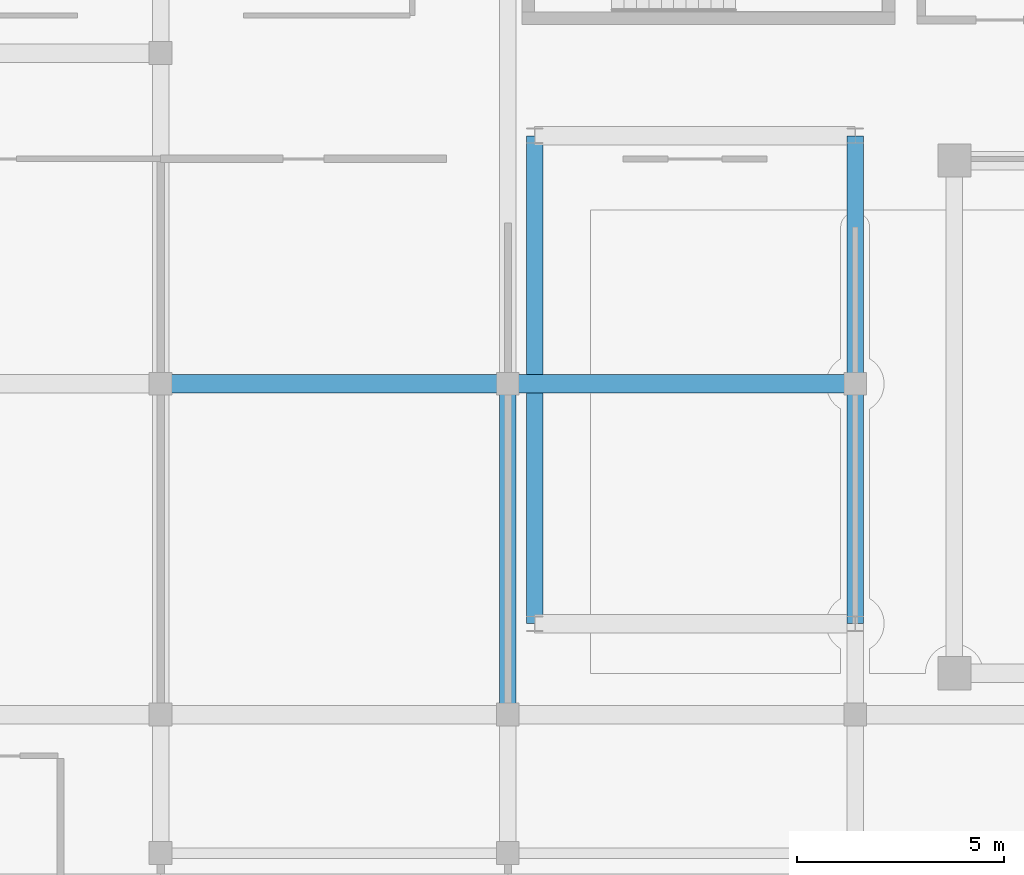
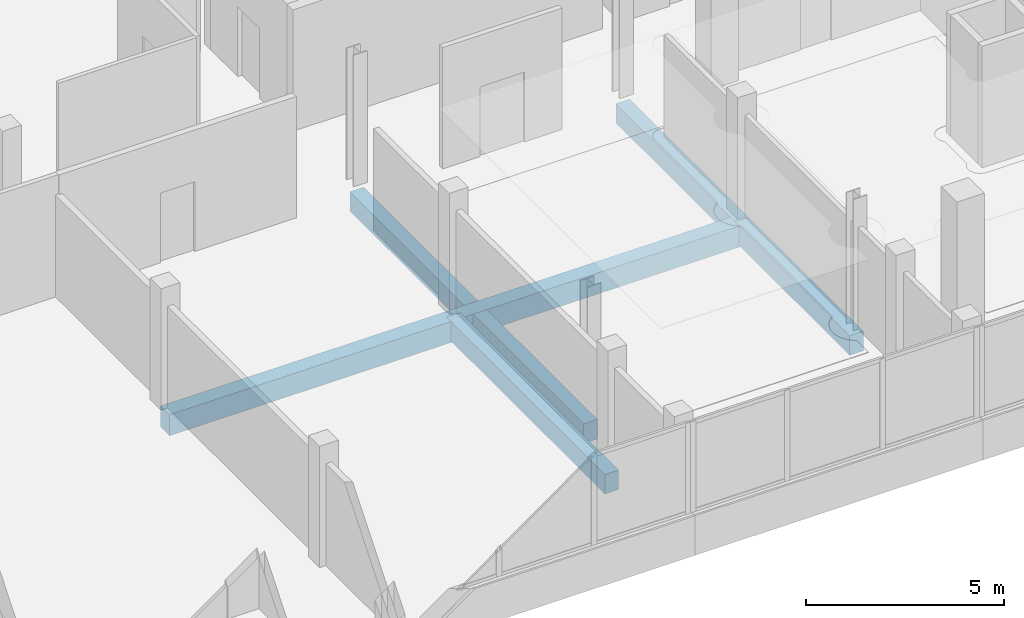
# One storey, part 11 of 67: 6 beams.
"""IFC4 building model written with IfcOpenShell, lengths in metres."""

from ifc_helpers import new_model, si_unit, direction, frame, origin, origin_2d, place, context, subcontext, project, spatial, rectangle, extrude, material, material_profile, profile_set, type_object, element, save


model = new_model("IFC4")

# Units and contexts
model_context = context("Model", 3, precision=1e-05, world=origin(), true_north=direction((0.0, 1.0)))
body_context = subcontext(model_context, "Body", "Model", "MODEL_VIEW")
ifc_project = project(units=[si_unit("LENGTHUNIT", "METRE"), si_unit("AREAUNIT", "SQUARE_METRE"), si_unit("VOLUMEUNIT", "CUBIC_METRE"), si_unit("PLANEANGLEUNIT", "RADIAN"), si_unit("MASSUNIT", "GRAM", prefix="KILO")], contexts=[model_context])

# Site, building, storey
site_placement = place(None, origin())
site = spatial("IfcSite", under=ifc_project, at=site_placement, CompositionType="ELEMENT")
building_placement = place(site_placement, origin())
building = spatial("IfcBuilding", under=site, at=building_placement, Name="Selatvlak General Hospital", CompositionType="ELEMENT")
storey_placement = place(building_placement, frame((0.0, 0.0, 35.39990234375)))
storey = spatial("IfcBuildingStorey", under=building, at=storey_placement, Name="L08", CompositionType="ELEMENT", Elevation=35.39990234375)

# Beams
ifc_material = material(Name="Concrete C40/50", Category="concrete")
ifc_material_profile_1 = material_profile(ifc_material, rectangle(XDim=0.449951171875, YDim=0.64990234375, at=origin_2d()), Name="RC-BM 450x650")
ifc_profile_set_1 = profile_set([ifc_material_profile_1], Name="Concrete C40/50")
beam_type_1 = type_object("IfcBeamType", Name="BM-G04", PredefinedType="BEAM", material=ifc_profile_set_1)
for number, where, z_axis, x_axis, name in (
    (1, (39.60009765625, 100.0, -0.58984375), (1.0, 0.0, 0.0), (0.0, 1.0, 0.0), "Beam BMR-L08-2590"),
    (2, (48.0, 100.0, -0.58984375), (1.0, 0.0, 0.0), (0.0, 1.0, 0.0), "Beam BMR-L08-2591"),
):
    element("IfcBeam", number, at=place(storey_placement, frame(where, z_axis=z_axis, x_axis=x_axis)), inside=storey, type_object=beam_type_1, Name=name, PredefinedType="BEAM", context=body_context, shape_type="SweptSolid", body=[
        extrude(rectangle(XDim=0.449951171875, YDim=0.64990234375, at=origin_2d()), origin(), (0.0, 0.0, 1.0), 8.39990234375),
    ])
ifc_material_profile_2 = material_profile(ifc_material, rectangle(XDim=0.39990234375, YDim=0.60009765625, at=origin_2d()), Name="RC-BM 400x600")
ifc_profile_set_2 = profile_set([ifc_material_profile_2], Name="Concrete C40/50")
beam_type_2 = type_object("IfcBeamType", Name="BM-G05", PredefinedType="BEAM", material=ifc_profile_set_2)
beam_1_placement = place(storey_placement, frame((48.0, 92.0, -0.56494140625), z_axis=(0.0, 1.0, 0.0), x_axis=(-1.0, 0.0, 0.0)))
element("IfcBeam", 3, at=beam_1_placement, inside=storey, type_object=beam_type_2, Name="Beam BMR-L08-2645", PredefinedType="BEAM", context=body_context, shape_type="SweptSolid", body=[
    extrude(rectangle(XDim=0.39990234375, YDim=0.60009765625, at=origin_2d()), origin(), (0.0, 0.0, 1.0), 8.0),
])
beam_2_placement = place(storey_placement, frame((48.64990234375, 94.199951171875, -0.56494140625), z_axis=(0.0, 1.0, 0.0), x_axis=(-1.0, 0.0, 0.0)))
element("IfcBeam", 4, at=beam_2_placement, inside=storey, type_object=beam_type_2, Name="Beam BMR-L08-2647", PredefinedType="BEAM", context=body_context, shape_type="SweptSolid", body=[
    extrude(rectangle(XDim=0.39990234375, YDim=0.60009765625, at=origin_2d()), origin(), (0.0, 0.0, 1.0), 11.800048828125),
])
beam_3_placement = place(storey_placement, frame((56.39990234375, 94.199951171875, -0.56494140625), z_axis=(0.0, 1.0, 0.0), x_axis=(-1.0, 0.0, 0.0)))
element("IfcBeam", 5, at=beam_3_placement, inside=storey, type_object=beam_type_2, Name="Beam BMR-L08-2650", PredefinedType="BEAM", context=body_context, shape_type="SweptSolid", body=[
    extrude(rectangle(XDim=0.39990234375, YDim=0.60009765625, at=origin_2d()), origin(), (0.0, 0.0, 1.0), 5.800048828125),
])
beam_4_placement = place(storey_placement, frame((56.39990234375, 100.0, -0.56494140625), z_axis=(0.0, 1.0, 0.0), x_axis=(-1.0, 0.0, 0.0)))
element("IfcBeam", 6, at=beam_4_placement, inside=storey, type_object=beam_type_2, Name="Beam BMR-L08-2651", PredefinedType="BEAM", context=body_context, shape_type="SweptSolid", body=[
    extrude(rectangle(XDim=0.39990234375, YDim=0.60009765625, at=origin_2d()), origin(), (0.0, 0.0, 1.0), 6.0),
])

save(model, "model.ifc")
